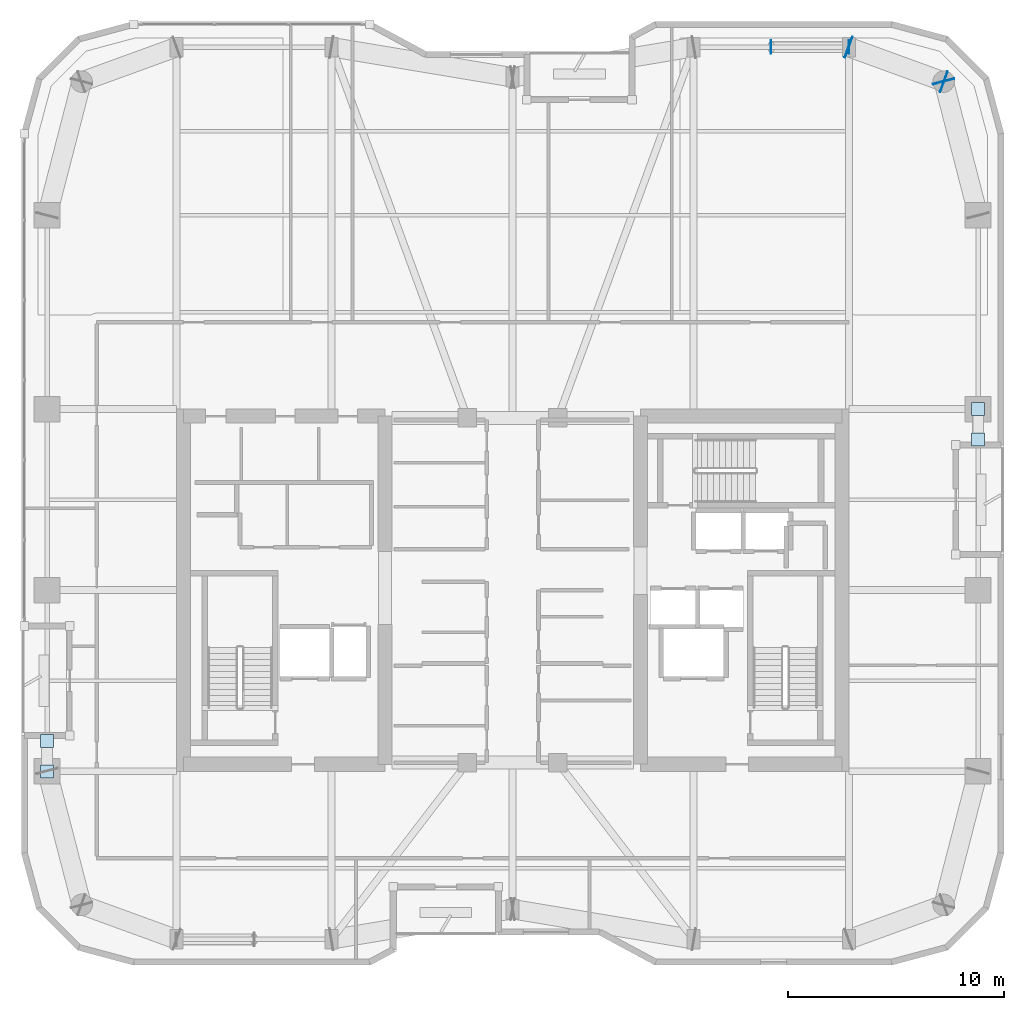
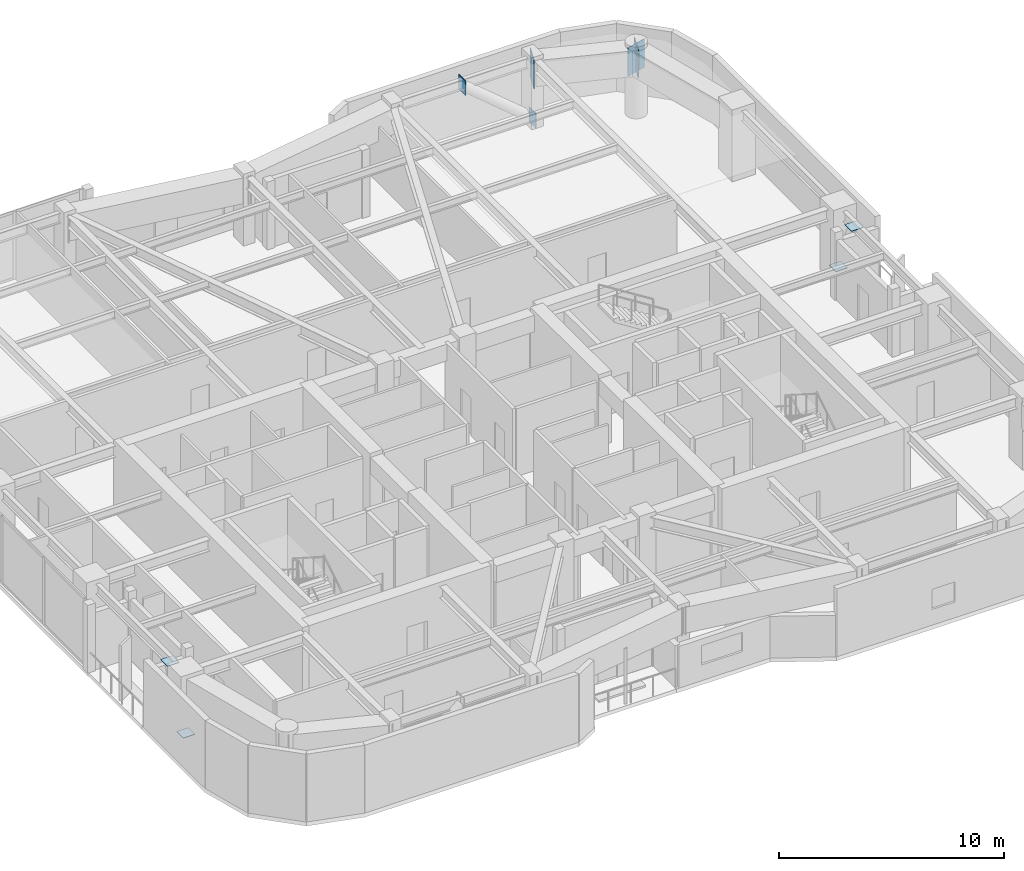
# One storey, part 14 of 21: 9 plates.
"""IFC4 building model written with IfcOpenShell, lengths in metres."""

from ifc_helpers import new_model, si_unit, direction, frame, origin, origin_2d, place, context, subcontext, project, spatial, rectangle, extrude, material, layer, layer_set, type_object, element, save


model = new_model("IFC4")

# Units and contexts
model_context = context("Model", 3, precision=1e-05, world=origin(), true_north=direction((0.0, 1.0)))
body_context = subcontext(model_context, "Body", "Model", "MODEL_VIEW")
ifc_project = project(units=[si_unit("LENGTHUNIT", "METRE"), si_unit("AREAUNIT", "SQUARE_METRE"), si_unit("VOLUMEUNIT", "CUBIC_METRE"), si_unit("PLANEANGLEUNIT", "RADIAN"), si_unit("MASSUNIT", "GRAM", prefix="KILO")], contexts=[model_context])

# Site, building, storey
site_placement = place(None, origin())
site = spatial("IfcSite", under=ifc_project, at=site_placement, CompositionType="ELEMENT")
building_placement = place(site_placement, origin())
building = spatial("IfcBuilding", under=site, at=building_placement, Name="Kiyonajd Concourse Tower", CompositionType="ELEMENT")
storey_placement = place(building_placement, frame((0.0, 0.0, 223.199951171875)))
storey = spatial("IfcBuildingStorey", under=building, at=storey_placement, Name="L56", CompositionType="ELEMENT", Elevation=223.199951171875)

# Plates
ifc_material = material(Name="Steel ASTM A572 Grade 50", Category="steel")
ifc_layer_1 = layer(ifc_material, 0.028076171875)
ifc_layer_set_1 = layer_set([ifc_layer_1], Name="Steel ASTM A572 Grade 50")
plate_type_1 = type_object("IfcPlateType", Name="PL-CAP-450", PredefinedType="USERDEFINED", material=ifc_layer_set_1)
for number, where, z_axis, x_axis, name in (
    (1, (63.6083984375, 61.199951171875, -0.10888671875), (0.0, 0.0, 1.0), (1.0, 0.0, 0.0), "L56 Hollow Brace End Cap Plate PBN"),
    (2, (59.99169921875, 61.199951171875, 2.93505859375), (0.0, 0.0, 1.0), (-1.0, 0.0, 0.0), "L56 Hollow Brace Top Cap Plate PBN"),
):
    element("IfcPlate", number, at=place(storey_placement, frame(where, z_axis=z_axis, x_axis=x_axis)), inside=storey, type_object=plate_type_1, Name=name, ObjectType="CAP PLATE", PredefinedType="USERDEFINED", context=body_context, shape_type="SweptSolid", body=[
        extrude(rectangle(XDim=0.035888671875, YDim=0.6279296875, at=origin_2d()), origin(), (0.0, 0.0, 1.0), 0.803955078125),
    ])
for number, where, z_axis, x_axis, name in (
    (3, (26.39990234375, 27.595458984375, 0.27587890625), (0.0, 0.0, 1.0), (1.0, 0.0, 0.0), "L56 Hollow Brace End Cap Plate PBW"),
    (4, (26.39990234375, 29.004638671875, 3.326171875), (0.0, 0.0, 1.0), (1.0, 0.0, 0.0), "L56 Hollow Brace Top Cap Plate PBW"),
    (5, (69.60009765625, 44.404541015625, 0.27587890625), (0.0, 0.0, 1.0), (1.0, 0.0, 0.0), "L56 Hollow Brace End Cap Plate PBE"),
    (6, (69.60009765625, 42.995361328125, 3.326171875), (0.0, 0.0, 1.0), (1.0, 0.0, 0.0), "L56 Hollow Brace Top Cap Plate PBE"),
):
    element("IfcPlate", number, at=place(storey_placement, frame(where, z_axis=z_axis, x_axis=x_axis)), inside=storey, type_object=plate_type_1, Name=name, ObjectType="CAP PLATE", PredefinedType="USERDEFINED", context=body_context, shape_type="SweptSolid", body=[
        extrude(rectangle(XDim=0.60791015625, YDim=0.60791015625, at=origin_2d()), origin(), (0.0, 0.0, 1.0), 0.028076171875),
    ])
ifc_layer_2 = layer(ifc_material, 0.031982421875)
ifc_layer_set_2 = layer_set([ifc_layer_2], Name="Steel ASTM A572 Grade 50")
plate_type_2 = type_object("IfcPlateType", Name="PL-CAP-540", PredefinedType="USERDEFINED", material=ifc_layer_set_2)
for number, where, z_axis, x_axis, name in (
    (7, (67.997314453125, 59.610595703125, 2.2099609375), (0.0, 0.0, 1.0), (-0.249873048837, 0.968278606324, 0.0), "L56 Welded Box Girder End Cap"),
    (8, (68.01025390625, 59.59619140625, 2.2099609375), (0.0, 0.0, 1.0), (0.939811951086, -0.341692107891, 0.0), "L56 Welded Box Girder End Cap"),
    (9, (63.589599609375, 61.203857421875, 2.2099609375), (0.0, 0.0, 1.0), (-0.939811951086, 0.341692107891, 0.0), "L56 Welded Box Girder End Cap"),
):
    element("IfcPlate", number, at=place(storey_placement, frame(where, z_axis=z_axis, x_axis=x_axis)), inside=storey, type_object=plate_type_2, Name=name, ObjectType="CAP PLATE", PredefinedType="USERDEFINED", context=body_context, shape_type="SweptSolid", body=[
        extrude(rectangle(XDim=0.035888671875, YDim=1.02001953125, at=origin_2d()), origin(), (0.0, 0.0, 1.0), 1.5400390625),
    ])

save(model, "model.ifc")
